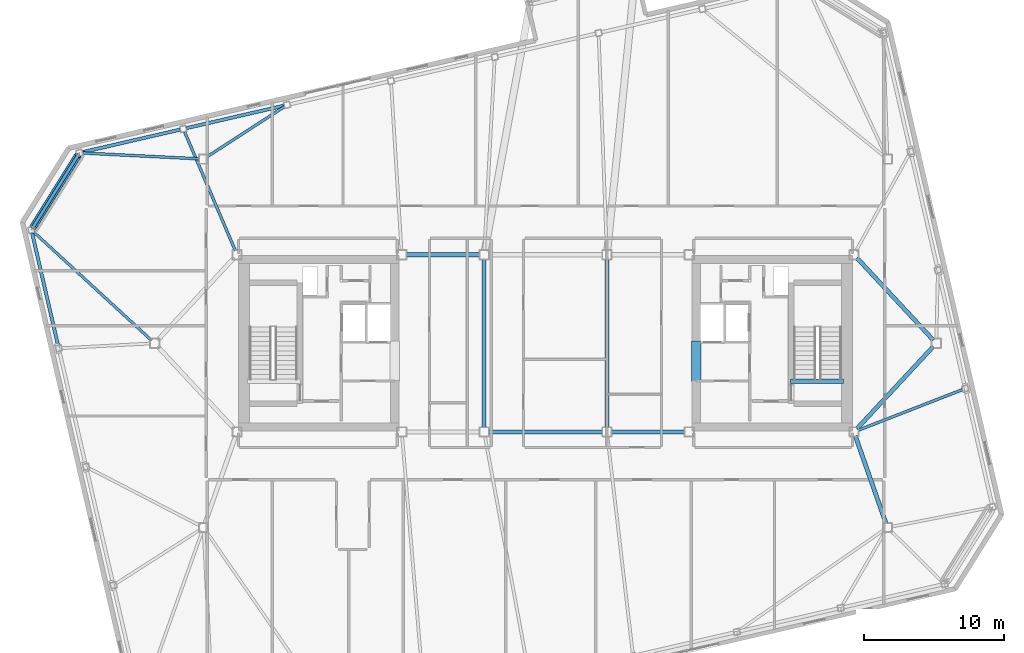
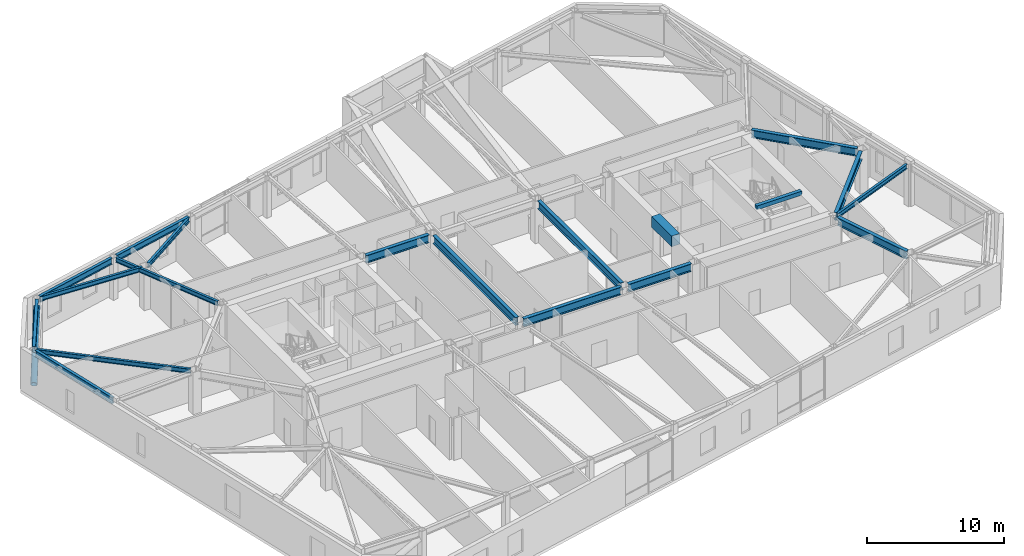
# One storey, part 12 of 22: 19 beams, 1 member.
"""IFC4 building model written with IfcOpenShell, lengths in metres."""

from ifc_helpers import new_model, si_unit, direction, frame, origin, origin_2d, place, context, subcontext, project, spatial, rectangle, hollow_circle, i_section, extrude, material, material_profile, profile_set, type_object, element, save


model = new_model("IFC4")

# Units and contexts
model_context = context("Model", 3, precision=1e-05, world=origin(), true_north=direction((0.0, 1.0)))
body_context = subcontext(model_context, "Body", "Model", "MODEL_VIEW")
ifc_project = project(units=[si_unit("LENGTHUNIT", "METRE"), si_unit("AREAUNIT", "SQUARE_METRE"), si_unit("VOLUMEUNIT", "CUBIC_METRE"), si_unit("PLANEANGLEUNIT", "RADIAN"), si_unit("MASSUNIT", "GRAM", prefix="KILO")], contexts=[model_context])

# Site, building, storey
site_placement = place(None, origin())
site = spatial("IfcSite", under=ifc_project, at=site_placement, CompositionType="ELEMENT")
building_placement = place(site_placement, origin())
building = spatial("IfcBuilding", under=site, at=building_placement, Name="Tavrogorsk Clinical Tower", CompositionType="ELEMENT")
storey_placement = place(building_placement, frame((0.0, 0.0, 313.0)))
storey = spatial("IfcBuildingStorey", under=building, at=storey_placement, Name="L73", CompositionType="ELEMENT", Elevation=313.0)

# Beam
ifc_material_1 = material(Name="Concrete B80", Category="concrete")
ifc_material_profile_1 = material_profile(ifc_material_1, rectangle(XDim=0.699951171875, YDim=0.949951171875, at=origin_2d()), Name="RC-CB-700x950")
ifc_profile_set_1 = profile_set([ifc_material_profile_1], Name="Concrete B80")
beam_type_1 = type_object("IfcBeamType", Name="CouplingBeam_RC700x950", PredefinedType="LINTEL", material=ifc_profile_set_1)
beam_1_placement = place(storey_placement, frame((10.800048828125, -2.75, 3.264892578125), z_axis=(0.0, 1.0, 0.0), x_axis=(-1.0, 0.0, 0.0)))
element("IfcBeam", 1, at=beam_1_placement, inside=storey, type_object=beam_type_1, Name="L73 Core East Coupling Beam", PredefinedType="LINTEL", context=body_context, shape_type="SweptSolid", body=[
    extrude(rectangle(XDim=0.699951171875, YDim=0.949951171875, at=origin_2d()), origin(), (0.0, 0.0, 1.0), 2.89990234375),
])

# Member
ifc_material_2 = material(Name="Structural steel S440", Category="steel")
ifc_material_profile_2 = material_profile(ifc_material_2, hollow_circle(Radius=0.25390625, WallThickness=0.02001953125, at=origin_2d()), Name="CHS-508x20")
ifc_profile_set_2 = profile_set([ifc_material_profile_2], Name="Structural steel S440")
member_type = type_object("IfcMemberType", Name="ExoBrace_CHS508", PredefinedType="BRACE", material=ifc_profile_set_2)
member_placement = place(storey_placement, frame((-36.72265625, 8.30908203125, 0.393310546875), z_axis=(0.485643868835, 0.777221605895, 0.400095748531), x_axis=(-0.848056967697, 0.529905066536, 0.0)))
element("IfcMember", 2, at=member_placement, inside=storey, type_object=member_type, Name="L73 Corner Exoskeleton Brace N8-W1", PredefinedType="BRACE", context=body_context, shape_type="SweptSolid", body=[
    extrude(hollow_circle(Radius=0.25390625, WallThickness=0.02001953125, at=origin_2d()), origin(), (0.0, 0.0, 1.0), 6.63232421875),
])

# Beams
ifc_material_3 = material(Name="Structural steel S355", Category="steel")
ifc_material_profile_3 = material_profile(ifc_material_3, i_section(OverallWidth=0.199951171875, OverallDepth=0.39990234375, WebThickness=0.010498046875, FlangeThickness=0.01611328125, at=origin_2d()), Name="B-400x200x10.5x16")
ifc_profile_set_3 = profile_set([ifc_material_profile_3], Name="Structural steel S355")
beam_type_2 = type_object("IfcBeamType", Name="FloorBeam_B400", PredefinedType="BEAM", material=ifc_profile_set_3)
beam_2_placement = place(storey_placement, frame((-24.23974609375, 13.36865234375, 3.5400390625), z_axis=(0.839287867478, 0.543687295699, 0.0), x_axis=(-0.543687295699, 0.839287867478, 0.0)))
element("IfcBeam", 3, at=beam_2_placement, inside=storey, type_object=beam_type_2, Name="L73 Radial Floor Beam N6", PredefinedType="BEAM", context=body_context, shape_type="SweptSolid", body=[
    extrude(i_section(OverallWidth=0.199951171875, OverallDepth=0.39990234375, WebThickness=0.010498046875, FlangeThickness=0.01611328125, at=origin_2d()), origin(), (0.0, 0.0, 1.0), 6.592529296875),
])
beam_3_placement = place(storey_placement, frame((-22.2216796875, 6.635009765625, 3.5400390625), z_axis=(-0.392852744382, 0.919601392578, 0.0), x_axis=(-0.919601392578, -0.392852744382, 0.0)))
element("IfcBeam", 4, at=beam_3_placement, inside=storey, type_object=beam_type_2, Name="L73 Radial Floor Beam N7", PredefinedType="BEAM", context=body_context, shape_type="SweptSolid", body=[
    extrude(i_section(OverallWidth=0.199951171875, OverallDepth=0.39990234375, WebThickness=0.010498046875, FlangeThickness=0.01611328125, at=origin_2d()), origin(), (0.0, 0.0, 1.0), 9.25732421875),
])
beam_4_placement = place(storey_placement, frame((-24.8095703125, 13.215576171875, 3.5400390625), z_axis=(-0.998749933549, 0.049985700304, 0.0), x_axis=(-0.049985700304, -0.998749933549, 0.0)))
element("IfcBeam", 5, at=beam_4_placement, inside=storey, type_object=beam_type_2, Name="L73 Radial Floor Beam N8", PredefinedType="BEAM", context=body_context, shape_type="SweptSolid", body=[
    extrude(i_section(OverallWidth=0.199951171875, OverallDepth=0.39990234375, WebThickness=0.010498046875, FlangeThickness=0.01611328125, at=origin_2d()), origin(), (0.0, 0.0, 1.0), 8.35693359375),
])
beam_5_placement = place(storey_placement, frame((22.388916015625, -6.237548828125, 3.5400390625), z_axis=(0.931736989786, 0.363133834647, 0.0), x_axis=(-0.363133834647, 0.931736989786, 0.0)))
element("IfcBeam", 6, at=beam_5_placement, inside=storey, type_object=beam_type_2, Name="L73 Radial Floor Beam E2", PredefinedType="BEAM", context=body_context, shape_type="SweptSolid", body=[
    extrude(i_section(OverallWidth=0.199951171875, OverallDepth=0.39990234375, WebThickness=0.010498046875, FlangeThickness=0.01611328125, at=origin_2d()), origin(), (0.0, 0.0, 1.0), 8.01806640625),
])
beam_6_placement = place(storey_placement, frame((-28.228271484375, 0.2099609375, 3.5400390625), z_axis=(-0.735959452605, 0.677025615557, 0.0), x_axis=(-0.677025615557, -0.735959452605, 0.0)))
element("IfcBeam", 7, at=beam_6_placement, inside=storey, type_object=beam_type_2, Name="L73 Radial Floor Beam W1", PredefinedType="BEAM", context=body_context, shape_type="SweptSolid", body=[
    extrude(i_section(OverallWidth=0.199951171875, OverallDepth=0.39990234375, WebThickness=0.010498046875, FlangeThickness=0.01611328125, at=origin_2d()), origin(), (0.0, 0.0, 1.0), 11.462646484375),
])
ifc_material_4 = material(Name="Structural steel S390", Category="steel")
ifc_material_profile_4 = material_profile(ifc_material_4, i_section(OverallWidth=0.300048828125, OverallDepth=0.699951171875, WebThickness=0.01708984375, FlangeThickness=0.028076171875, at=origin_2d()), Name="B-700x300x17x28")
ifc_profile_set_4 = profile_set([ifc_material_profile_4], Name="Structural steel S390")
beam_type_3 = type_object("IfcBeamType", Name="PrimaryGirder_B700", PredefinedType="USERDEFINED", material=ifc_profile_set_4)
beam_7_placement = place(storey_placement, frame((-9.989990234375, 6.35009765625, 3.389892578125), z_axis=(1.0, 0.0, 0.0), x_axis=(0.0, 1.0, 0.0)))
element("IfcBeam", 8, at=beam_7_placement, inside=storey, type_object=beam_type_3, Name="L73 Primary Spine Girder MG-02", ObjectType="GIRDER", PredefinedType="USERDEFINED", context=body_context, shape_type="SweptSolid", body=[
    extrude(i_section(OverallWidth=0.300048828125, OverallDepth=0.699951171875, WebThickness=0.01708984375, FlangeThickness=0.028076171875, at=origin_2d()), origin(), (0.0, 0.0, 1.0), 5.280029296875),
])
beam_8_placement = place(storey_placement, frame((-4.090087890625, -6.35009765625, 3.389892578125), z_axis=(1.0, 0.0, 0.0), x_axis=(0.0, 1.0, 0.0)))
element("IfcBeam", 9, at=beam_8_placement, inside=storey, type_object=beam_type_3, Name="L73 Primary Spine Girder MG-03", ObjectType="GIRDER", PredefinedType="USERDEFINED", context=body_context, shape_type="SweptSolid", body=[
    extrude(i_section(OverallWidth=0.300048828125, OverallDepth=0.699951171875, WebThickness=0.01708984375, FlangeThickness=0.028076171875, at=origin_2d()), origin(), (0.0, 0.0, 1.0), 8.18017578125),
])
beam_9_placement = place(storey_placement, frame((4.7099609375, -6.35009765625, 3.389892578125), z_axis=(1.0, 0.0, 0.0), x_axis=(0.0, 1.0, 0.0)))
element("IfcBeam", 10, at=beam_9_placement, inside=storey, type_object=beam_type_3, Name="L73 Primary Spine Girder MG-05", ObjectType="GIRDER", PredefinedType="USERDEFINED", context=body_context, shape_type="SweptSolid", body=[
    extrude(i_section(OverallWidth=0.300048828125, OverallDepth=0.699951171875, WebThickness=0.01708984375, FlangeThickness=0.028076171875, at=origin_2d()), origin(), (0.0, 0.0, 1.0), 5.280029296875),
])
for number, where, z_axis, x_axis, name in (
    (11, (-4.39990234375, -6.0400390625, 3.389892578125), (0.0, 1.0, 0.0), (-1.0, 0.0, 0.0), "L73 Primary Spine Girder MG-07"),
    (12, (4.39990234375, -6.0400390625, 3.389892578125), (0.0, 1.0, 0.0), (-1.0, 0.0, 0.0), "L73 Primary Spine Girder MG-08"),
):
    element("IfcBeam", number, at=place(storey_placement, frame(where, z_axis=z_axis, x_axis=x_axis)), inside=storey, type_object=beam_type_3, Name=name, ObjectType="GIRDER", PredefinedType="USERDEFINED", context=body_context, shape_type="SweptSolid", body=[
        extrude(i_section(OverallWidth=0.300048828125, OverallDepth=0.699951171875, WebThickness=0.01708984375, FlangeThickness=0.028076171875, at=origin_2d()), origin(), (0.0, 0.0, 1.0), 12.080078125),
    ])
beam_10_placement = place(storey_placement, frame((24.3974609375, -12.907470703125, 3.389892578125), z_axis=(-0.330666578092, 0.943747643246, 0.0), x_axis=(-0.943747643246, -0.330666578092, 0.0)))
element("IfcBeam", 13, at=beam_10_placement, inside=storey, type_object=beam_type_3, Name="L73 Spine Link Girder OPG-2", ObjectType="GIRDER", PredefinedType="USERDEFINED", context=body_context, shape_type="SweptSolid", body=[
    extrude(i_section(OverallWidth=0.300048828125, OverallDepth=0.699951171875, WebThickness=0.01708984375, FlangeThickness=0.028076171875, at=origin_2d()), origin(), (0.0, 0.0, 1.0), 6.638427734375),
])
for number, where, z_axis, x_axis, name in (
    (14, (27.7890625, -0.22705078125, 3.389892578125), (-0.680677963005, -0.732582767119, 0.0), (0.732582767119, -0.680677963005, 0.0), "L73 Spine Link Girder OPG-7"),
    (15, (27.7890625, 0.22705078125, 3.389892578125), (-0.680677963005, 0.732582767119, 0.0), (-0.732582767119, -0.680677963005, 0.0), "L73 Spine Link Girder OPG-8"),
):
    element("IfcBeam", number, at=place(storey_placement, frame(where, z_axis=z_axis, x_axis=x_axis)), inside=storey, type_object=beam_type_3, Name=name, ObjectType="GIRDER", PredefinedType="USERDEFINED", context=body_context, shape_type="SweptSolid", body=[
        extrude(i_section(OverallWidth=0.300048828125, OverallDepth=0.699951171875, WebThickness=0.01708984375, FlangeThickness=0.028076171875, at=origin_2d()), origin(), (0.0, 0.0, 1.0), 8.0478515625),
    ])
ifc_material_5 = material(Name="Structural steel S390", Category="steel")
ifc_material_profile_5 = material_profile(ifc_material_5, i_section(OverallWidth=0.239990234375, OverallDepth=0.550048828125, WebThickness=0.013916015625, FlangeThickness=0.02197265625, at=origin_2d()), Name="B-550x240x14x22")
ifc_profile_set_5 = profile_set([ifc_material_profile_5], Name="Structural steel S390")
beam_type_4 = type_object("IfcBeamType", Name="SpandrelBeam_B550", PredefinedType="SPANDREL", material=ifc_profile_set_5)
beam_11_placement = place(storey_placement, frame((-18.73828125, 17.027099609375, 3.465087890625), z_axis=(-0.97437684326, -0.224921691527, 0.0), x_axis=(0.224921691527, -0.97437684326, 0.0)))
element("IfcBeam", 16, at=beam_11_placement, inside=storey, type_object=beam_type_4, Name="L73 Perimeter Spandrel N6-N7", PredefinedType="SPANDREL", context=body_context, shape_type="SweptSolid", body=[
    extrude(i_section(OverallWidth=0.239990234375, OverallDepth=0.550048828125, WebThickness=0.013916015625, FlangeThickness=0.02197265625, at=origin_2d()), origin(), (0.0, 0.0, 1.0), 7.168212890625),
])
beam_12_placement = place(storey_placement, frame((-26.177001953125, 15.309814453125, 3.465087890625), z_axis=(-0.974369378592, -0.224954026551, 0.0), x_axis=(0.224954026551, -0.974369378592, 0.0)))
element("IfcBeam", 17, at=beam_12_placement, inside=storey, type_object=beam_type_4, Name="L73 Perimeter Spandrel N7-N8", PredefinedType="SPANDREL", context=body_context, shape_type="SweptSolid", body=[
    extrude(i_section(OverallWidth=0.239990234375, OverallDepth=0.550048828125, WebThickness=0.013916015625, FlangeThickness=0.02197265625, at=origin_2d()), origin(), (0.0, 0.0, 1.0), 7.16845703125),
])
beam_13_placement = place(storey_placement, frame((-33.511962890625, 13.447265625, 3.465087890625), z_axis=(-0.529933531413, -0.848039180866, 0.0), x_axis=(0.848039180866, -0.529933531413, 0.0)))
element("IfcBeam", 18, at=beam_13_placement, inside=storey, type_object=beam_type_4, Name="L73 Perimeter Spandrel N8-W1", PredefinedType="SPANDREL", context=body_context, shape_type="SweptSolid", body=[
    extrude(i_section(OverallWidth=0.239990234375, OverallDepth=0.550048828125, WebThickness=0.013916015625, FlangeThickness=0.02197265625, at=origin_2d()), origin(), (0.0, 0.0, 1.0), 6.039306640625),
])
beam_14_placement = place(storey_placement, frame((-36.783447265625, 7.901123046875, 3.465087890625), z_axis=(0.224950345141, -0.974370228517, 0.0), x_axis=(0.974370228517, 0.224950345141, 0.0)))
element("IfcBeam", 19, at=beam_14_placement, inside=storey, type_object=beam_type_4, Name="L73 Perimeter Spandrel W1-W2", PredefinedType="SPANDREL", context=body_context, shape_type="SweptSolid", body=[
    extrude(i_section(OverallWidth=0.239990234375, OverallDepth=0.550048828125, WebThickness=0.013916015625, FlangeThickness=0.02197265625, at=origin_2d()), origin(), (0.0, 0.0, 1.0), 8.243896484375),
])
ifc_material_6 = material(Name="Concrete B60", Category="concrete")
ifc_material_profile_6 = material_profile(ifc_material_6, rectangle(XDim=0.300048828125, YDim=0.35009765625, at=origin_2d()), Name="RC-SHB-300x350")
ifc_profile_set_6 = profile_set([ifc_material_profile_6], Name="Concrete B60")
beam_type_5 = type_object("IfcBeamType", Name="StairHeaderBeam_RC300x350", PredefinedType="BEAM", material=ifc_profile_set_6)
beam_15_placement = place(storey_placement, frame((17.550048828125, -2.719970703125, 3.824951171875), z_axis=(1.0, 0.0, 0.0), x_axis=(0.0, 1.0, 0.0)))
element("IfcBeam", 20, at=beam_15_placement, inside=storey, type_object=beam_type_5, Name="L74 ST-E Landing Header Beam", PredefinedType="BEAM", context=body_context, shape_type="SweptSolid", body=[
    extrude(rectangle(XDim=0.300048828125, YDim=0.35009765625, at=origin_2d()), origin(), (0.0, 0.0, 1.0), 3.800048828125),
])

save(model, "model.ifc")
